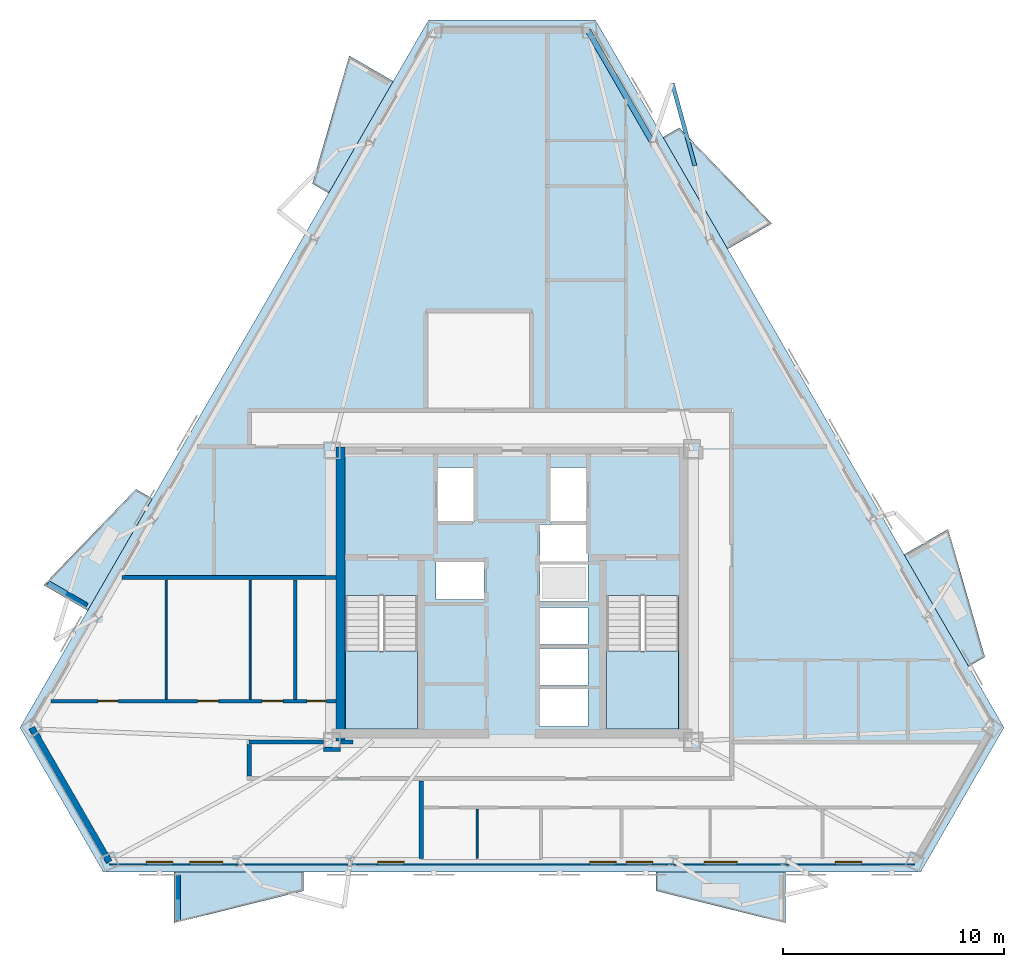
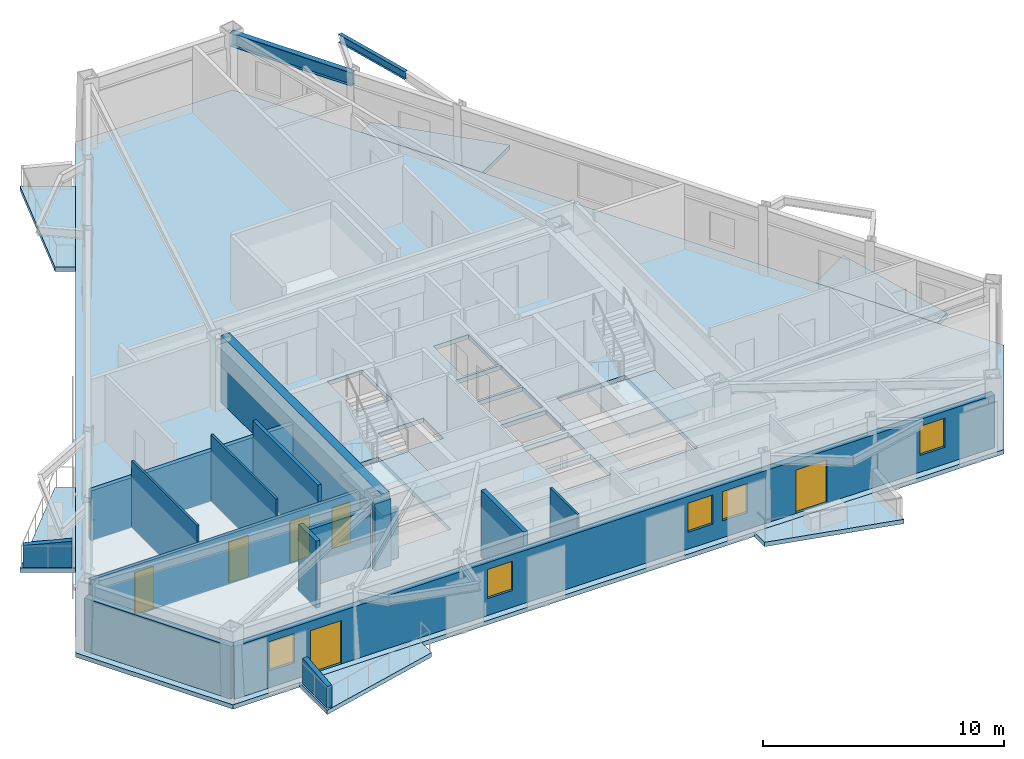
# One storey, part 2 of 10: 16 walls, 9 slabs, 6 doors, 5 windows, 2 beams, 11 openings, 2 elements without a shape of their own.
"""IFC4 building model written with IfcOpenShell, lengths in metres."""

from ifc_helpers import new_model, si_unit, direction, frame, frame_2d, origin, origin_2d, place, context, subcontext, project, spatial, polyline, rectangle, i_section, outline, extrude, material, layer, layer_set, material_profile, profile_set, type_object, element, fill, aggregate, save


model = new_model("IFC4")

# Units and contexts
model_context = context("Model", 3, precision=1e-05, world=origin(), true_north=direction((0.0, 1.0)))
body_context = subcontext(model_context, "Body", "Model", "MODEL_VIEW")
ifc_project = project(units=[si_unit("LENGTHUNIT", "METRE"), si_unit("AREAUNIT", "SQUARE_METRE"), si_unit("VOLUMEUNIT", "CUBIC_METRE"), si_unit("PLANEANGLEUNIT", "RADIAN"), si_unit("MASSUNIT", "GRAM", prefix="KILO")], contexts=[model_context])

# Site, building, storey
site_placement = place(None, origin())
site = spatial("IfcSite", under=ifc_project, at=site_placement, CompositionType="ELEMENT")
building_placement = place(site_placement, origin())
building = spatial("IfcBuilding", under=site, at=building_placement, Name="Oramaril Tower", CompositionType="ELEMENT")
storey_placement = place(building_placement, frame((0.0, 0.0, 209.10009765625)))
storey = spatial("IfcBuildingStorey", under=building, at=storey_placement, Name="L55", CompositionType="ELEMENT", Elevation=209.10009765625)

# Beams
ifc_material_1 = material(Name="Steel ASTM A572 Gr 50", Category="steel")
ifc_material_profile_1 = material_profile(ifc_material_1, i_section(OverallWidth=0.177978515625, OverallDepth=0.404052734375, WebThickness=0.007568359375, FlangeThickness=0.010986328125, at=origin_2d()), Name="W16X36")
ifc_profile_set_1 = profile_set([ifc_material_profile_1], Name="Steel ASTM A572 Gr 50")
beam_type_1 = type_object("IfcBeamType", Name="BT-SB1", PredefinedType="BEAM", material=ifc_profile_set_1)
beam_1_placement = place(storey_placement, frame((45.782470703125, 37.041015625, 3.177978515625), z_axis=(-0.264457004129, 0.964397476649, 0.0), x_axis=(-0.964397476649, -0.264457004129, 0.0)))
element("IfcBeam", 1, at=beam_1_placement, inside=storey, type_object=beam_type_1, Name="L55 Balcony Edge Tie Beam 04", PredefinedType="BEAM", context=body_context, shape_type="SweptSolid", body=[
    extrude(i_section(OverallWidth=0.177978515625, OverallDepth=0.404052734375, WebThickness=0.007568359375, FlangeThickness=0.010986328125, at=origin_2d()), origin(), (0.0, 0.0, 1.0), 3.869873046875),
])
ifc_material_2 = material(Name="Steel ASTM A572 Gr 50", Category="steel")
ifc_material_profile_2 = material_profile(ifc_material_2, i_section(OverallWidth=0.257080078125, OverallDepth=0.693115234375, WebThickness=0.014404296875, FlangeThickness=0.023681640625, at=origin_2d()), Name="W27X114")
ifc_profile_set_2 = profile_set([ifc_material_profile_2], Name="Steel ASTM A572 Gr 50")
beam_type_2 = type_object("IfcBeamType", Name="BT-SP4", PredefinedType="SPANDREL", material=ifc_profile_set_2)
beam_2_placement = place(storey_placement, frame((43.861572265625, 38.11181640625, 3.033447265625), z_axis=(-0.500003329834, 0.866023481295, 0.0), x_axis=(-0.866023481295, -0.500003329834, 0.0)))
element("IfcBeam", 2, at=beam_2_placement, inside=storey, type_object=beam_type_2, Name="L55 Perimeter Spandrel 12", PredefinedType="SPANDREL", context=body_context, shape_type="SweptSolid", body=[
    extrude(i_section(OverallWidth=0.257080078125, OverallDepth=0.693115234375, WebThickness=0.014404296875, FlangeThickness=0.023681640625, at=origin_2d()), origin(), (0.0, 0.0, 1.0), 5.84375),
])

# Slabs
ifc_material_3 = material(Name="Concrete C40/50", Category="concrete")
ifc_layer_1 = layer(ifc_material_3, 0.199951171875)
ifc_layer_set_1 = layer_set([ifc_layer_1], Name="SLT-BAL20")
slab_type_1 = type_object("IfcSlabType", Name="SLT-BAL20", PredefinedType="FLOOR", material=ifc_layer_set_1)
slab_1_placement = place(storey_placement, frame((0.0, 0.0, -0.22021484375)))
element("IfcSlab", 3, at=slab_1_placement, inside=storey, type_object=slab_type_1, Name="L55 Cantilevered Balcony Slab L55-BAL-S1", PredefinedType="FLOOR", context=body_context, shape_type="SweptSolid", body=[
    extrude(outline(polyline([(22.201171875, 5.059326171875), (28.05126953125, 5.059326171875), (28.05126953125, 4.207275390625), (22.201171875, 2.75732421875), (22.201171875, 5.059326171875)])), origin(), (0.0, 0.0, 1.0), 0.22021484375),
])
slab_2_placement = place(storey_placement, frame((0.0, 0.0, -0.22021484375)))
element("IfcSlab", 4, at=slab_2_placement, inside=storey, type_object=slab_type_1, Name="L55 Cantilevered Balcony Slab L55-BAL-NE2", PredefinedType="FLOOR", context=body_context, shape_type="SweptSolid", body=[
    extrude(outline(polyline([(47.263671875, 33.270263671875), (44.338623046875, 38.33642578125), (45.076416015625, 38.762451171875), (49.25732421875, 34.421142578125), (47.263671875, 33.270263671875)])), origin(), (0.0, 0.0, 1.0), 0.22021484375),
])
slab_3_placement = place(storey_placement, frame((0.0, 0.0, -0.22021484375)))
element("IfcSlab", 5, at=slab_3_placement, inside=storey, type_object=slab_type_1, Name="L55 Cantilevered Balcony Slab L55-BAL-NW1", PredefinedType="FLOOR", context=body_context, shape_type="SweptSolid", body=[
    extrude(outline(polyline([(32.123779296875, 40.869384765625), (29.19873046875, 35.80322265625), (28.4609375, 36.229248046875), (30.130126953125, 42.0205078125), (32.123779296875, 40.869384765625)])), origin(), (0.0, 0.0, 1.0), 0.22021484375),
])
ifc_material_4 = material(Name="Concrete C50/60", Category="concrete")
ifc_layer_2 = layer(ifc_material_4, 0.219970703125)
ifc_layer_set_2 = layer_set([ifc_layer_2], Name="SLT-FLR22")
slab_type_2 = type_object("IfcSlabType", Name="SLT-FLR22", PredefinedType="FLOOR", material=ifc_layer_set_2)
slab_4_placement = place(storey_placement, frame((0.0, 0.0, -0.22021484375)))
element("IfcSlab", 6, at=slab_4_placement, inside=storey, type_object=slab_type_2, Name="L55 Structural Floor Slab", PredefinedType="FLOOR", context=body_context, shape_type="SweptSolid", body=[
    extrude(outline(polyline([(15.22314453125, 11.600830078125), (19.001220703125, 5.057373046875), (55.998779296875, 5.057373046875), (59.77685546875, 11.600830078125), (41.27783203125, 43.641845703125), (33.72216796875, 43.641845703125), (15.22314453125, 11.600830078125)]), holes=[polyline([(29.949951171875, 17.58935546875), (29.949951171875, 11.550048828125), (33.219970703125, 11.550048828125), (33.219970703125, 17.58935546875), (29.949951171875, 17.58935546875)]), polyline([(41.780029296875, 17.58935546875), (41.780029296875, 11.550048828125), (45.050048828125, 11.550048828125), (45.050048828125, 17.58935546875), (41.780029296875, 17.58935546875)]), polyline([(34.110107421875, 20.909912109375), (35.7900390625, 20.909912109375), (35.7900390625, 23.389892578125), (34.110107421875, 23.389892578125), (34.110107421875, 20.909912109375)]), polyline([(39.2099609375, 20.909912109375), (40.889892578125, 20.909912109375), (40.889892578125, 23.389892578125), (39.2099609375, 23.389892578125), (39.2099609375, 20.909912109375)]), polyline([(38.760009765625, 11.659912109375), (40.93994140625, 11.659912109375), (40.93994140625, 13.340087890625), (38.760009765625, 13.340087890625), (38.760009765625, 11.659912109375)]), polyline([(38.760009765625, 13.510009765625), (40.93994140625, 13.510009765625), (40.93994140625, 15.18994140625), (38.760009765625, 15.18994140625), (38.760009765625, 13.510009765625)]), polyline([(38.760009765625, 15.360107421875), (40.93994140625, 15.360107421875), (40.93994140625, 17.0400390625), (38.760009765625, 17.0400390625), (38.760009765625, 15.360107421875)]), polyline([(34.06005859375, 17.409912109375), (36.239990234375, 17.409912109375), (36.239990234375, 19.090087890625), (34.06005859375, 19.090087890625), (34.06005859375, 17.409912109375)]), polyline([(38.760009765625, 17.31005859375), (40.93994140625, 17.31005859375), (40.93994140625, 18.989990234375), (38.760009765625, 18.989990234375), (38.760009765625, 17.31005859375)]), polyline([(38.760009765625, 19.110107421875), (40.93994140625, 19.110107421875), (40.93994140625, 20.7900390625), (38.760009765625, 20.7900390625), (38.760009765625, 19.110107421875)])]), origin(), (0.0, 0.0, 1.0), 0.22021484375),
])

# Stair, slab
ifc_material_5 = material(Name="Concrete C50/60", Category="concrete")
stair_type = type_object("IfcStairType", Name="STT-DG-3600", PredefinedType="HALF_TURN_STAIR", material=ifc_material_5)
stair_1_placement = place(storey_placement, origin())
stair_1 = element("IfcStair", 7, at=stair_1_placement, inside=storey, type_object=stair_type, Name="L55 Protected PFP Exit Stair ST-1", PredefinedType="HALF_TURN_STAIR")
ifc_material_6 = material(Name="Concrete C50/60", Category="concrete")
ifc_layer_3 = layer(ifc_material_6, 0.199951171875)
ifc_layer_set_3 = layer_set([ifc_layer_3], Name="SLT-LND20")
slab_type_3 = type_object("IfcSlabType", Name="SLT-LND20", PredefinedType="LANDING", material=ifc_layer_set_3)
slab_5_placement = place(storey_placement, frame((0.0, 0.0, 1.599853515625)))
slab_5 = element("IfcSlab", 8, at=slab_5_placement, type_object=slab_type_3, Name="ST-1 landing 1", PredefinedType="LANDING", context=body_context, shape_type="SweptSolid", body=[
    extrude(outline(polyline([(29.949951171875, 15.070068359375), (29.949951171875, 11.550048828125), (33.219970703125, 11.550048828125), (33.219970703125, 15.070068359375), (29.949951171875, 15.070068359375)])), origin(), (0.0, 0.0, 1.0), 0.199951171875),
])
aggregate(stair_1, [slab_5])

stair_2_placement = place(storey_placement, origin())
stair_2 = element("IfcStair", 9, at=stair_2_placement, inside=storey, type_object=stair_type, Name="L55 Protected PFP Exit Stair ST-2", PredefinedType="HALF_TURN_STAIR")
slab_6_placement = place(storey_placement, frame((0.0, 0.0, 1.599853515625)))
slab_6 = element("IfcSlab", 10, at=slab_6_placement, type_object=slab_type_3, Name="ST-2 landing 1", PredefinedType="LANDING", context=body_context, shape_type="SweptSolid", body=[
    extrude(outline(polyline([(41.780029296875, 15.070068359375), (41.780029296875, 11.550048828125), (45.050048828125, 11.550048828125), (45.050048828125, 15.070068359375), (41.780029296875, 15.070068359375)])), origin(), (0.0, 0.0, 1.0), 0.199951171875),
])
aggregate(stair_2, [slab_6])

# Slabs
ifc_material_7 = material(Name="Concrete C40/50", Category="concrete")
ifc_layer_4 = layer(ifc_material_7, 0.18994140625)
ifc_layer_set_4 = layer_set([ifc_layer_4], Name="SLT-PLN19")
slab_type_4 = type_object("IfcSlabType", Name="SLT-PLN19", PredefinedType="FLOOR", material=ifc_layer_set_4)
slab_7_placement = place(storey_placement, frame((0.0, 0.0, -0.22021484375)))
element("IfcSlab", 11, at=slab_7_placement, inside=storey, type_object=slab_type_4, Name="L55 Tree Planter Balcony Slab L55-BAL-S2", PredefinedType="FLOOR", context=body_context, shape_type="SweptSolid", body=[
    extrude(outline(polyline([(44.023681640625, 5.059326171875), (49.873779296875, 5.059326171875), (49.873779296875, 2.75732421875), (44.023681640625, 4.207275390625), (44.023681640625, 5.059326171875)])), origin(), (0.0, 0.0, 1.0), 0.22021484375),
])
slab_8_placement = place(storey_placement, frame((0.0, 0.0, -0.22021484375)))
element("IfcSlab", 12, at=slab_8_placement, inside=storey, type_object=slab_type_4, Name="L55 Tree Planter Balcony Slab L55-BAL-NE1", PredefinedType="FLOOR", context=body_context, shape_type="SweptSolid", body=[
    extrude(outline(polyline([(58.175048828125, 14.37109375), (55.25, 19.4375), (57.24365234375, 20.58837890625), (58.912841796875, 14.797119140625), (58.175048828125, 14.37109375)])), origin(), (0.0, 0.0, 1.0), 0.22021484375),
])
slab_9_placement = place(storey_placement, frame((0.0, 0.0, -0.22021484375)))
element("IfcSlab", 13, at=slab_9_placement, inside=storey, type_object=slab_type_4, Name="L55 Tree Planter Balcony Slab L55-BAL-NW2", PredefinedType="FLOOR", context=body_context, shape_type="SweptSolid", body=[
    extrude(outline(polyline([(21.21240234375, 21.970458984375), (18.287353515625, 16.904296875), (16.293701171875, 18.055419921875), (20.474609375, 22.396484375), (21.21240234375, 21.970458984375)])), origin(), (0.0, 0.0, 1.0), 0.22021484375),
])

# Wall
ifc_material_8 = material(Name="Warm Cream Limestone", Category="masonry")
ifc_layer_5 = layer(ifc_material_8, 0.2900390625)
ifc_layer_set_5 = layer_set([ifc_layer_5], Name="WT-EXT29")
wall_type_1 = type_object("IfcWallType", Name="WT-EXT29", PredefinedType="SOLIDWALL", material=ifc_layer_set_5)
wall_1_placement = place(storey_placement, frame((15.75439453125, 11.600830078125, 0.0), z_axis=(0.0, 0.0, 1.0), x_axis=(0.500015274395, -0.866016584929, 0.0)))
element("IfcWall", 14, at=wall_1_placement, inside=storey, type_object=wall_type_1, Name="L55 Tower Limestone Facade Wall 1M", PredefinedType="SOLIDWALL", context=body_context, shape_type="SweptSolid", body=[
    extrude(rectangle(XDim=7.024658203125, YDim=0.2900390625, at=frame_2d((3.51220703125, 0.0))), origin(), (0.0, 0.0, 1.0), 2.677001953125),
])

# Wall, openings, doors, windows
wall_2_placement = place(storey_placement, frame((19.266845703125, 5.517333984375, 0.0), z_axis=(0.0, 0.0, 1.0), x_axis=(1.0, 0.0, 0.0)))
wall_2 = element("IfcWall", 15, at=wall_2_placement, inside=storey, type_object=wall_type_1, Name="L55 Tower Limestone Facade Wall 2M", PredefinedType="SOLIDWALL", context=body_context, shape_type="SweptSolid", body=[
    extrude(rectangle(XDim=36.46630859375, YDim=0.2900390625, at=frame_2d((18.233154296875, 0.0))), origin(), (0.0, 0.0, 1.0), 2.677001953125),
])
opening_1_placement = place(wall_2_placement, frame((3.639404296875, 0.0, 0.0)))
opening_1 = element("IfcOpeningElement", 16, at=opening_1_placement, cuts=wall_2, Name="Opening D-L55-BAL-S1", PredefinedType="OPENING", context=body_context, shape_type="SweptSolid", body=[
    extrude(rectangle(XDim=1.5, YDim=2.199951171875, at=frame_2d((0.75, 1.10009765625))), frame((0.0, 0.14501953125, 0.0), z_axis=(0.0, -1.0, 0.0), x_axis=(1.0, 0.0, 0.0)), (0.0, 0.0, 1.0), 0.2900390625),
])
opening_2_placement = place(wall_2_placement, frame((26.931884765625, 0.0, 0.0)))
opening_2 = element("IfcOpeningElement", 17, at=opening_2_placement, cuts=wall_2, Name="Opening D-L55-BAL-S2", PredefinedType="OPENING", context=body_context, shape_type="SweptSolid", body=[
    extrude(rectangle(XDim=1.5, YDim=2.199951171875, at=frame_2d((0.75, 1.10009765625))), frame((0.0, 0.14501953125, 0.0), z_axis=(0.0, -1.0, 0.0), x_axis=(1.0, 0.0, 0.0)), (0.0, 0.0, 1.0), 0.2900390625),
])
opening_3_placement = place(wall_2_placement, frame((21.74462890625, 0.0, 0.85009765625)))
opening_3 = element("IfcOpeningElement", 18, at=opening_3_placement, cuts=wall_2, Name="Opening WN-09", PredefinedType="OPENING", context=body_context, shape_type="SweptSolid", body=[
    extrude(rectangle(XDim=1.199951171875, YDim=1.47998046875, at=frame_2d((0.60009765625, 0.739990234375))), frame((0.0, 0.14501953125, 0.0), z_axis=(0.0, -1.0, 0.0), x_axis=(1.0, 0.0, 0.0)), (0.0, 0.0, 1.0), 0.2900390625),
])
opening_4_placement = place(wall_2_placement, frame((23.3994140625, 0.0, 0.85009765625)))
opening_4 = element("IfcOpeningElement", 19, at=opening_4_placement, cuts=wall_2, Name="Opening WN-09", PredefinedType="OPENING", context=body_context, shape_type="SweptSolid", body=[
    extrude(rectangle(XDim=1.199951171875, YDim=1.47998046875, at=frame_2d((0.60009765625, 0.739990234375))), frame((0.0, 0.14501953125, 0.0), z_axis=(0.0, -1.0, 0.0), x_axis=(1.0, 0.0, 0.0)), (0.0, 0.0, 1.0), 0.2900390625),
])
opening_5_placement = place(wall_2_placement, frame((32.877197265625, 0.0, 0.85009765625)))
opening_5 = element("IfcOpeningElement", 20, at=opening_5_placement, cuts=wall_2, Name="Opening WN-09", PredefinedType="OPENING", context=body_context, shape_type="SweptSolid", body=[
    extrude(rectangle(XDim=1.199951171875, YDim=1.47998046875, at=frame_2d((0.60009765625, 0.739990234375))), frame((0.0, 0.14501953125, 0.0), z_axis=(0.0, -1.0, 0.0), x_axis=(1.0, 0.0, 0.0)), (0.0, 0.0, 1.0), 0.2900390625),
])
opening_6_placement = place(wall_2_placement, frame((1.673583984375, 0.0, 0.85009765625)))
opening_6 = element("IfcOpeningElement", 21, at=opening_6_placement, cuts=wall_2, Name="Opening WN-09", PredefinedType="OPENING", context=body_context, shape_type="SweptSolid", body=[
    extrude(rectangle(XDim=1.199951171875, YDim=1.47998046875, at=frame_2d((0.60009765625, 0.739990234375))), frame((0.0, 0.14501953125, 0.0), z_axis=(0.0, -1.0, 0.0), x_axis=(1.0, 0.0, 0.0)), (0.0, 0.0, 1.0), 0.2900390625),
])
opening_7_placement = place(wall_2_placement, frame((12.14404296875, 0.0, 0.85009765625)))
opening_7 = element("IfcOpeningElement", 22, at=opening_7_placement, cuts=wall_2, Name="Opening WN-09", PredefinedType="OPENING", context=body_context, shape_type="SweptSolid", body=[
    extrude(rectangle(XDim=1.199951171875, YDim=1.47998046875, at=frame_2d((0.60009765625, 0.739990234375))), frame((0.0, 0.14501953125, 0.0), z_axis=(0.0, -1.0, 0.0), x_axis=(1.0, 0.0, 0.0)), (0.0, 0.0, 1.0), 0.2900390625),
])
ifc_material_9 = material(Name="Anodised Aluminium 6063-T6", Category="aluminium")
door_type_1 = type_object("IfcDoorType", Name="DT-BAL", OperationType="NOTDEFINED", PredefinedType="DOOR", material=ifc_material_9)
door_1_placement = place(opening_1_placement, origin())
door_1 = element("IfcDoor", 23, at=door_1_placement, inside=storey, type_object=door_type_1, Name="L55 Balcony Glazed Door L55-BAL-S1", OperationType="SINGLE_SWING_RIGHT", OverallHeight=2.199951171875, OverallWidth=1.5, PredefinedType="DOOR", context=body_context, shape_type="SweptSolid", body=[
    extrude(rectangle(XDim=1.5, YDim=2.199951171875, at=frame_2d((0.75, 1.10009765625))), frame((0.0, 0.02490234375, 0.0), z_axis=(0.0, -1.0, 0.0), x_axis=(1.0, 0.0, 0.0)), (0.0, 0.0, 1.0), 0.050048828125),
])
fill(opening_1, door_1)
door_2_placement = place(opening_2_placement, origin())
door_2 = element("IfcDoor", 24, at=door_2_placement, inside=storey, type_object=door_type_1, Name="L55 Balcony Glazed Door L55-BAL-S2", OperationType="SINGLE_SWING_LEFT", OverallHeight=2.199951171875, OverallWidth=1.5, PredefinedType="DOOR", context=body_context, shape_type="SweptSolid", body=[
    extrude(rectangle(XDim=1.5, YDim=2.199951171875, at=frame_2d((0.75, 1.10009765625))), frame((0.0, 0.02490234375, 0.0), z_axis=(0.0, -1.0, 0.0), x_axis=(1.0, 0.0, 0.0)), (0.0, 0.0, 1.0), 0.050048828125),
])
fill(opening_2, door_2)
ifc_material_10 = material(Name="Coastal Low-E Insulated Glass", Category="glass")
window_type = type_object("IfcWindowType", Name="WNT-09", PartitioningType="SINGLE_PANEL", PredefinedType="WINDOW", material=ifc_material_10)
window_1_placement = place(opening_3_placement, origin())
window_1 = element("IfcWindow", 25, at=window_1_placement, inside=storey, type_object=window_type, Name="L55 Chicago Bay Window WN-09", OverallHeight=1.47998046875, OverallWidth=1.199951171875, PartitioningType="SINGLE_PANEL", PredefinedType="WINDOW", context=body_context, shape_type="SweptSolid", body=[
    extrude(rectangle(XDim=1.199951171875, YDim=1.47998046875, at=frame_2d((0.60009765625, 0.739990234375))), frame((0.0, 0.030029296875, 0.0), z_axis=(0.0, -1.0, 0.0), x_axis=(1.0, 0.0, 0.0)), (0.0, 0.0, 1.0), 0.06005859375),
])
fill(opening_3, window_1)
window_2_placement = place(opening_4_placement, origin())
window_2 = element("IfcWindow", 26, at=window_2_placement, inside=storey, type_object=window_type, Name="L55 Chicago Bay Window WN-09", OverallHeight=1.47998046875, OverallWidth=1.199951171875, PartitioningType="SINGLE_PANEL", PredefinedType="WINDOW", context=body_context, shape_type="SweptSolid", body=[
    extrude(rectangle(XDim=1.199951171875, YDim=1.47998046875, at=frame_2d((0.60009765625, 0.739990234375))), frame((0.0, 0.030029296875, 0.0), z_axis=(0.0, -1.0, 0.0), x_axis=(1.0, 0.0, 0.0)), (0.0, 0.0, 1.0), 0.06005859375),
])
fill(opening_4, window_2)
window_3_placement = place(opening_5_placement, origin())
window_3 = element("IfcWindow", 27, at=window_3_placement, inside=storey, type_object=window_type, Name="L55 Chicago Bay Window WN-09", OverallHeight=1.47998046875, OverallWidth=1.199951171875, PartitioningType="SINGLE_PANEL", PredefinedType="WINDOW", context=body_context, shape_type="SweptSolid", body=[
    extrude(rectangle(XDim=1.199951171875, YDim=1.47998046875, at=frame_2d((0.60009765625, 0.739990234375))), frame((0.0, 0.030029296875, 0.0), z_axis=(0.0, -1.0, 0.0), x_axis=(1.0, 0.0, 0.0)), (0.0, 0.0, 1.0), 0.06005859375),
])
fill(opening_5, window_3)
window_4_placement = place(opening_6_placement, origin())
window_4 = element("IfcWindow", 28, at=window_4_placement, inside=storey, type_object=window_type, Name="L55 Chicago Bay Window WN-09", OverallHeight=1.47998046875, OverallWidth=1.199951171875, PartitioningType="SINGLE_PANEL", PredefinedType="WINDOW", context=body_context, shape_type="SweptSolid", body=[
    extrude(rectangle(XDim=1.199951171875, YDim=1.47998046875, at=frame_2d((0.60009765625, 0.739990234375))), frame((0.0, 0.030029296875, 0.0), z_axis=(0.0, -1.0, 0.0), x_axis=(1.0, 0.0, 0.0)), (0.0, 0.0, 1.0), 0.06005859375),
])
fill(opening_6, window_4)
window_5_placement = place(opening_7_placement, origin())
window_5 = element("IfcWindow", 29, at=window_5_placement, inside=storey, type_object=window_type, Name="L55 Chicago Bay Window WN-09", OverallHeight=1.47998046875, OverallWidth=1.199951171875, PartitioningType="SINGLE_PANEL", PredefinedType="WINDOW", context=body_context, shape_type="SweptSolid", body=[
    extrude(rectangle(XDim=1.199951171875, YDim=1.47998046875, at=frame_2d((0.60009765625, 0.739990234375))), frame((0.0, 0.030029296875, 0.0), z_axis=(0.0, -1.0, 0.0), x_axis=(1.0, 0.0, 0.0)), (0.0, 0.0, 1.0), 0.06005859375),
])
fill(opening_7, window_5)

# Walls
ifc_material_11 = material(Name="Concrete C40/50", Category="concrete")
ifc_layer_6 = layer(ifc_material_11, 0.22998046875)
ifc_layer_set_6 = layer_set([ifc_layer_6], Name="WT-PRP23")
wall_type_2 = type_object("IfcWallType", Name="WT-PRP23", PredefinedType="PARAPET", material=ifc_layer_set_6)
for number, where, z_axis, x_axis, name in (
    (30, (22.381103515625, 4.919189453125, 0.0), (0.0, 0.0, 1.0), (0.0, -1.0, 0.0), "L55 Trapezoidal Balcony Frame Cheek L55-BAL-S1-L"),
    (31, (18.256103515625, 17.130126953125, 0.0), (0.0, 0.0, 1.0), (-0.866012356593, 0.500022597718, 0.0), "L55 Trapezoidal Balcony Frame Cheek L55-BAL-NW2-R"),
):
    element("IfcWall", number, at=place(storey_placement, frame(where, z_axis=z_axis, x_axis=x_axis)), inside=storey, type_object=wall_type_2, Name=name, PredefinedType="PARAPET", context=body_context, shape_type="SweptSolid", body=[
        extrude(outline(polyline([(0.0, 0.0), (2.0419921875, 0.0), (2.0419921875, 1.099853515625), (0.0, 1.31982421875), (0.0, 0.0)])), frame((0.0, 0.114990234375, 0.0), z_axis=(0.0, -1.0, 0.0), x_axis=(1.0, 0.0, 0.0)), (0.0, 0.0, 1.0), 0.22998046875),
    ])
ifc_material_12 = material(Name="Acoustic Gypsum Board Partition")
ifc_layer_7 = layer(ifc_material_12, 0.10009765625)
ifc_layer_set_7 = layer_set([ifc_layer_7], Name="WT-PT10")
wall_type_3 = type_object("IfcWallType", Name="WT-PT10", PredefinedType="PARTITIONING", material=ifc_layer_set_7)
for number, where, z_axis, x_axis, name in (
    (32, (21.840087890625, 12.884033203125, 0.0), (0.0, 0.0, 1.0), (0.0, 1.0, 0.0), "L55 Interior Partition PT-10"),
    (33, (25.639892578125, 12.884033203125, 0.0), (0.0, 0.0, 1.0), (0.0, 1.0, 0.0), "L55 Interior Partition PT-10"),
):
    element("IfcWall", number, at=place(storey_placement, frame(where, z_axis=z_axis, x_axis=x_axis)), inside=storey, type_object=wall_type_3, Name=name, PredefinedType="PARTITIONING", context=body_context, shape_type="SweptSolid", body=[
        extrude(rectangle(XDim=5.411865234375, YDim=0.10009765625, at=frame_2d((2.7060546875, 0.0))), origin(), (0.0, 0.0, 1.0), 3.3798828125),
    ])
wall_3_placement = place(storey_placement, frame((35.919921875, 5.666259765625, 0.0), z_axis=(0.0, 0.0, 1.0), x_axis=(0.0, 1.0, 0.0)))
element("IfcWall", 34, at=wall_3_placement, inside=storey, type_object=wall_type_3, Name="L55 Interior Partition PT-10", PredefinedType="PARTITIONING", context=body_context, shape_type="SweptSolid", body=[
    extrude(rectangle(XDim=2.249755859375, YDim=0.10009765625, at=frame_2d((1.125, 0.0))), origin(), (0.0, 0.0, 1.0), 3.3798828125),
])

# Wall, openings, doors
ifc_material_13 = material(Name="Acoustic Gypsum Board Partition")
ifc_layer_8 = layer(ifc_material_13, 0.159912109375)
ifc_layer_set_8 = layer_set([ifc_layer_8], Name="WT-PT16")
wall_type_4 = type_object("IfcWallType", Name="WT-PT16", PredefinedType="PARTITIONING", material=ifc_layer_set_8)
wall_4_placement = place(storey_placement, frame((16.618896484375, 12.800048828125, 0.0), z_axis=(0.0, 0.0, 1.0), x_axis=(1.0, 0.0, 0.0)))
wall_4 = element("IfcWall", 35, at=wall_4_placement, inside=storey, type_object=wall_type_4, Name="L55 Interior Partition PT-16", PredefinedType="PARTITIONING", context=body_context, shape_type="SweptSolid", body=[
    extrude(rectangle(XDim=12.9169921875, YDim=0.159912109375, at=frame_2d((6.45849609375, 0.0))), origin(), (0.0, 0.0, 1.0), 2.52001953125),
])
opening_8_placement = place(wall_4_placement, frame((2.134765625, 0.0, 0.0)))
opening_8 = element("IfcOpeningElement", 36, at=opening_8_placement, cuts=wall_4, Name="Opening D-L55-09", PredefinedType="OPENING", context=body_context, shape_type="SweptSolid", body=[
    extrude(rectangle(XDim=0.919921875, YDim=2.1201171875, at=frame_2d((0.4599609375, 1.06005859375))), frame((0.0, 0.080078125, 0.0), z_axis=(0.0, -1.0, 0.0), x_axis=(1.0, 0.0, 0.0)), (0.0, 0.0, 1.0), 0.159912109375),
])
opening_9_placement = place(wall_4_placement, frame((6.6455078125, 0.0, 0.0)))
opening_9 = element("IfcOpeningElement", 37, at=opening_9_placement, cuts=wall_4, Name="Opening D-L55-10", PredefinedType="OPENING", context=body_context, shape_type="SweptSolid", body=[
    extrude(rectangle(XDim=0.949951171875, YDim=2.10009765625, at=frame_2d((0.47509765625, 1.050048828125))), frame((0.0, 0.080078125, 0.0), z_axis=(0.0, -1.0, 0.0), x_axis=(1.0, 0.0, 0.0)), (0.0, 0.0, 1.0), 0.159912109375),
])
opening_10_placement = place(wall_4_placement, frame((9.5712890625, 0.0, 0.0)))
opening_10 = element("IfcOpeningElement", 38, at=opening_10_placement, cuts=wall_4, Name="Opening D-L55-11", PredefinedType="OPENING", context=body_context, shape_type="SweptSolid", body=[
    extrude(rectangle(XDim=0.949951171875, YDim=2.10009765625, at=frame_2d((0.47509765625, 1.050048828125))), frame((0.0, 0.080078125, 0.0), z_axis=(0.0, -1.0, 0.0), x_axis=(1.0, 0.0, 0.0)), (0.0, 0.0, 1.0), 0.159912109375),
])
opening_11_placement = place(wall_4_placement, frame((11.59130859375, 0.0, 0.0)))
opening_11 = element("IfcOpeningElement", 39, at=opening_11_placement, cuts=wall_4, Name="Opening D-L55-12", PredefinedType="OPENING", context=body_context, shape_type="SweptSolid", body=[
    extrude(rectangle(XDim=0.8798828125, YDim=2.080078125, at=frame_2d((0.43994140625, 1.0400390625))), frame((0.0, 0.080078125, 0.0), z_axis=(0.0, -1.0, 0.0), x_axis=(1.0, 0.0, 0.0)), (0.0, 0.0, 1.0), 0.159912109375),
])
ifc_material_14 = material(Name="FSC Brazilian Freijo Hardwood", Category="wood")
door_type_2 = type_object("IfcDoorType", Name="DT-BATH", OperationType="NOTDEFINED", PredefinedType="DOOR", material=ifc_material_14)
door_3_placement = place(opening_11_placement, origin())
door_3 = element("IfcDoor", 40, at=door_3_placement, inside=storey, type_object=door_type_2, Name="L55 Flat L55-U2 Bathroom Door D-L55-12", OperationType="SINGLE_SWING_RIGHT", OverallHeight=2.080078125, OverallWidth=0.8798828125, PredefinedType="DOOR", context=body_context, shape_type="SweptSolid", body=[
    extrude(rectangle(XDim=0.8798828125, YDim=2.080078125, at=frame_2d((0.43994140625, 1.0400390625))), frame((0.0, 0.02490234375, 0.0), z_axis=(0.0, -1.0, 0.0), x_axis=(1.0, 0.0, 0.0)), (0.0, 0.0, 1.0), 0.050048828125),
])
fill(opening_11, door_3)
ifc_material_15 = material(Name="FSC Brazilian Freijo Hardwood", Category="wood")
door_type_3 = type_object("IfcDoorType", Name="DT-BED", OperationType="NOTDEFINED", PredefinedType="DOOR", material=ifc_material_15)
door_4_placement = place(opening_8_placement, origin())
door_4 = element("IfcDoor", 41, at=door_4_placement, inside=storey, type_object=door_type_3, Name="L55 Flat L55-U2 Master Bedroom Door D-L55-09", OperationType="SINGLE_SWING_LEFT", OverallHeight=2.1201171875, OverallWidth=0.919921875, PredefinedType="DOOR", context=body_context, shape_type="SweptSolid", body=[
    extrude(rectangle(XDim=0.919921875, YDim=2.1201171875, at=frame_2d((0.4599609375, 1.06005859375))), frame((0.0, 0.02490234375, 0.0), z_axis=(0.0, -1.0, 0.0), x_axis=(1.0, 0.0, 0.0)), (0.0, 0.0, 1.0), 0.050048828125),
])
fill(opening_8, door_4)
ifc_material_16 = material(Name="FSC Brazilian Freijo Hardwood", Category="wood")
door_type_4 = type_object("IfcDoorType", Name="DT-STDY", OperationType="NOTDEFINED", PredefinedType="DOOR", material=ifc_material_16)
door_5_placement = place(opening_9_placement, origin())
door_5 = element("IfcDoor", 42, at=door_5_placement, inside=storey, type_object=door_type_4, Name="L55 Flat L55-U2 Breakfast Dining Room Door D-L55-10", OperationType="SINGLE_SWING_RIGHT", OverallHeight=2.10009765625, OverallWidth=0.949951171875, PredefinedType="DOOR", context=body_context, shape_type="SweptSolid", body=[
    extrude(rectangle(XDim=0.949951171875, YDim=2.10009765625, at=frame_2d((0.47509765625, 1.050048828125))), frame((0.0, 0.02490234375, 0.0), z_axis=(0.0, -1.0, 0.0), x_axis=(1.0, 0.0, 0.0)), (0.0, 0.0, 1.0), 0.050048828125),
])
fill(opening_9, door_5)
door_6_placement = place(opening_10_placement, origin())
door_6 = element("IfcDoor", 43, at=door_6_placement, inside=storey, type_object=door_type_4, Name="L55 Flat L55-U2 Kitchen Door D-L55-11", OperationType="SINGLE_SWING_LEFT", OverallHeight=2.10009765625, OverallWidth=0.949951171875, PredefinedType="DOOR", context=body_context, shape_type="SweptSolid", body=[
    extrude(rectangle(XDim=0.949951171875, YDim=2.10009765625, at=frame_2d((0.47509765625, 1.050048828125))), frame((0.0, 0.02490234375, 0.0), z_axis=(0.0, -1.0, 0.0), x_axis=(1.0, 0.0, 0.0)), (0.0, 0.0, 1.0), 0.050048828125),
])
fill(opening_10, door_6)

# Walls
wall_5_placement = place(storey_placement, frame((27.68994140625, 12.884033203125, 0.0), z_axis=(0.0, 0.0, 1.0), x_axis=(0.0, 1.0, 0.0)))
element("IfcWall", 44, at=wall_5_placement, inside=storey, type_object=wall_type_4, Name="L55 Interior Partition PT-16", PredefinedType="PARTITIONING", context=body_context, shape_type="SweptSolid", body=[
    extrude(rectangle(XDim=5.411865234375, YDim=0.159912109375, at=frame_2d((2.7060546875, 0.0))), origin(), (0.0, 0.0, 1.0), 3.3798828125),
])
ifc_material_17 = material(Name="Autoclaved Cellular Concrete Block", Category="concrete")
ifc_layer_9 = layer(ifc_material_17, 0.199951171875)
ifc_layer_set_9 = layer_set([ifc_layer_9], Name="WT-PT20")
wall_type_5 = type_object("IfcWallType", Name="WT-PT20", PredefinedType="PARTITIONING", material=ifc_layer_set_9)
wall_6_placement = place(storey_placement, frame((28.9599609375, 10.610107421875, 0.0), z_axis=(0.0, 0.0, 1.0), x_axis=(1.0, 0.0, 0.0)))
element("IfcWall", 45, at=wall_6_placement, inside=storey, type_object=wall_type_5, Name="L55 Interior Partition PT-20", PredefinedType="PARTITIONING", context=body_context, shape_type="SweptSolid", body=[
    extrude(rectangle(XDim=0.780029296875, YDim=0.199951171875, at=frame_2d((0.39013671875, 0.0))), origin(), (0.0, 0.0, 1.0), 3.3798828125),
])
wall_7_placement = place(storey_placement, frame((25.60009765625, 10.949951171875, 0.0), z_axis=(0.0, 0.0, 1.0), x_axis=(1.0, 0.0, 0.0)))
element("IfcWall", 46, at=wall_7_placement, inside=storey, type_object=wall_type_5, Name="L55 Interior Partition PT-20", PredefinedType="PARTITIONING", context=body_context, shape_type="SweptSolid", body=[
    extrude(rectangle(XDim=3.35986328125, YDim=0.199951171875, at=frame_2d((1.679931640625, 0.0))), origin(), (0.0, 0.0, 1.0), 2.912841796875),
])
wall_8_placement = place(storey_placement, frame((29.739990234375, 10.949951171875, 0.0), z_axis=(0.0, 0.0, 1.0), x_axis=(1.0, 0.0, 0.0)))
element("IfcWall", 47, at=wall_8_placement, inside=storey, type_object=wall_type_5, Name="L55 Interior Partition PT-20", PredefinedType="PARTITIONING", context=body_context, shape_type="SweptSolid", body=[
    extrude(rectangle(XDim=0.56494140625, YDim=0.199951171875, at=frame_2d((0.282470703125, 0.0))), origin(), (0.0, 0.0, 1.0), 2.52001953125),
])
wall_9_placement = place(storey_placement, frame((19.851806640625, 18.39990234375, 0.0), z_axis=(0.0, 0.0, 1.0), x_axis=(1.0, 0.0, 0.0)))
element("IfcWall", 48, at=wall_9_placement, inside=storey, type_object=wall_type_5, Name="L55 Interior Partition PT-20", PredefinedType="PARTITIONING", context=body_context, shape_type="SweptSolid", body=[
    extrude(rectangle(XDim=9.68408203125, YDim=0.199951171875, at=frame_2d((4.842041015625, 0.0))), origin(), (0.0, 0.0, 1.0), 2.52001953125),
])
wall_10_placement = place(storey_placement, frame((25.60009765625, 9.404052734375, 0.0), z_axis=(0.0, 0.0, 1.0), x_axis=(0.0, 1.0, 0.0)))
element("IfcWall", 49, at=wall_10_placement, inside=storey, type_object=wall_type_5, Name="L55 Interior Partition PT-20", PredefinedType="PARTITIONING", context=body_context, shape_type="SweptSolid", body=[
    extrude(rectangle(XDim=1.44189453125, YDim=0.199951171875, at=frame_2d((0.720947265625, 0.0))), origin(), (0.0, 0.0, 1.0), 3.3798828125),
])
wall_11_placement = place(storey_placement, frame((33.39990234375, 5.666259765625, 0.0), z_axis=(0.0, 0.0, 1.0), x_axis=(0.0, 1.0, 0.0)))
element("IfcWall", 50, at=wall_11_placement, inside=storey, type_object=wall_type_5, Name="L55 Interior Partition PT-20", PredefinedType="PARTITIONING", context=body_context, shape_type="SweptSolid", body=[
    extrude(rectangle(XDim=3.52978515625, YDim=0.199951171875, at=frame_2d((1.764892578125, 0.0))), origin(), (0.0, 0.0, 1.0), 3.3798828125),
])
ifc_material_18 = material(Name="Concrete C50/60", Category="concrete")
ifc_layer_10 = layer(ifc_material_18, 0.39990234375)
ifc_layer_set_10 = layer_set([ifc_layer_10], Name="WT-SH40")
wall_type_6 = type_object("IfcWallType", Name="WT-SH40", PredefinedType="SHEAR", material=ifc_layer_set_10)
wall_12_placement = place(storey_placement, frame((29.739990234375, 11.0, 0.0), z_axis=(0.0, 0.0, 1.0), x_axis=(0.0, 1.0, 0.0)))
element("IfcWall", 51, at=wall_12_placement, inside=storey, type_object=wall_type_6, Name="L55 Core Shear Wall CW-W", PredefinedType="SHEAR", context=body_context, shape_type="SweptSolid", body=[
    extrude(rectangle(XDim=13.300048828125, YDim=0.39990234375, at=frame_2d((6.64990234375, 0.0))), origin(), (0.0, 0.0, 1.0), 3.3798828125),
])

save(model, "model.ifc")
